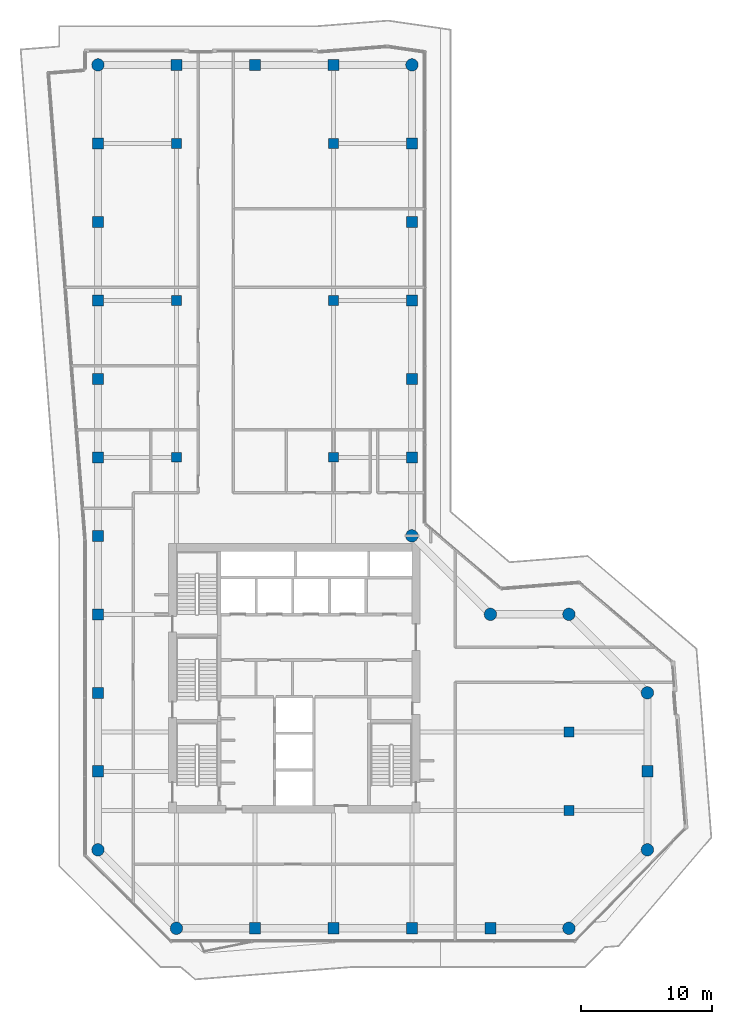
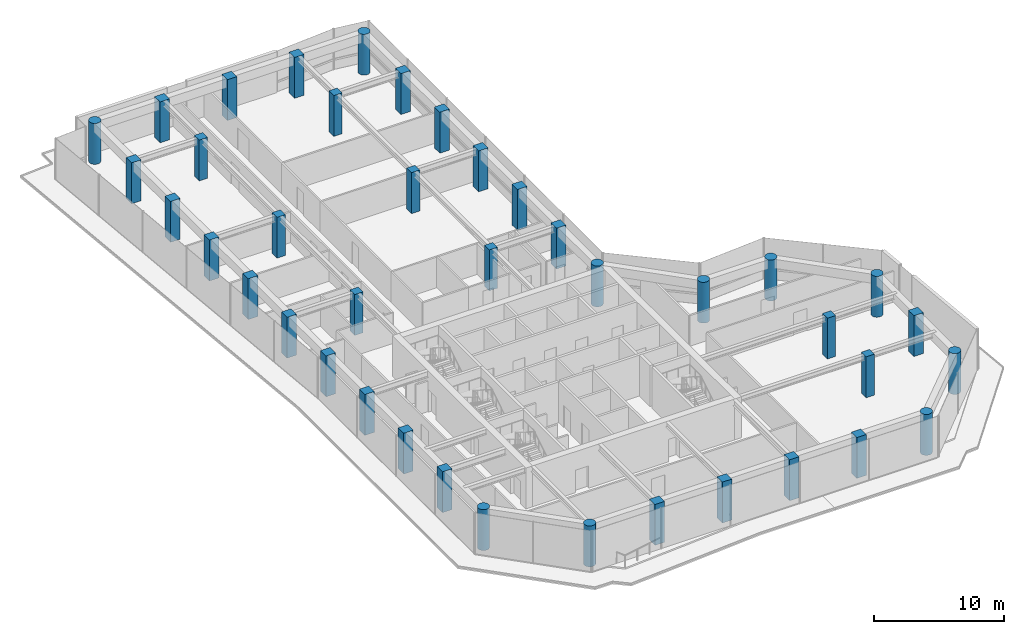
# One storey, part 1 of 23: 40 columns.
"""IFC4 building model written with IfcOpenShell, lengths in metres."""

from ifc_helpers import new_model, si_unit, direction, frame, origin, origin_2d, place, context, subcontext, project, spatial, rectangle, circle, extrude, material, material_profile, profile_set, type_object, element, save


model = new_model("IFC4")

# Units and contexts
model_context = context("Model", 3, precision=1e-05, world=origin(), true_north=direction((0.0, 1.0)))
body_context = subcontext(model_context, "Body", "Model", "MODEL_VIEW")
ifc_project = project(units=[si_unit("LENGTHUNIT", "METRE"), si_unit("AREAUNIT", "SQUARE_METRE"), si_unit("VOLUMEUNIT", "CUBIC_METRE"), si_unit("PLANEANGLEUNIT", "RADIAN"), si_unit("MASSUNIT", "GRAM", prefix="KILO")], contexts=[model_context])

# Site, building, storey
site_placement = place(None, origin())
site = spatial("IfcSite", under=ifc_project, at=site_placement, CompositionType="ELEMENT")
building_placement = place(site_placement, origin())
building = spatial("IfcBuilding", under=site, at=building_placement, Name="Welwitschia Terrace Campus", CompositionType="ELEMENT")
storey_placement = place(building_placement, frame((0.0, 0.0, 188.60009765625)))
storey = spatial("IfcBuildingStorey", under=building, at=storey_placement, Name="L42", CompositionType="ELEMENT", Elevation=188.60009765625)

# Columns
ifc_material_1 = material(Name="Concrete C50/60", Category="concrete")
ifc_material_profile_1 = material_profile(ifc_material_1, circle(Radius=0.47509765625, at=origin_2d()))
ifc_profile_set_1 = profile_set([ifc_material_profile_1], Name="Concrete C50/60")
column_type_1 = type_object("IfcColumnType", Name="Corner column 950 dia", PredefinedType="COLUMN", material=ifc_profile_set_1)
for number, where, z_axis, x_axis, name in (
    (1, (0.0, 2.0, 0.0), (0.0, 0.0, 1.0), (1.0, 0.0, 0.0), "Column C24"),
    (2, (0.0, 62.0, 0.0), (0.0, 0.0, 1.0), (1.0, 0.0, 0.0), "Column C24"),
    (3, (6.0, -4.0, 0.0), (0.0, 0.0, 1.0), (1.0, 0.0, 0.0), "Column C24"),
    (4, (24.0, 26.0, 0.0), (0.0, 0.0, 1.0), (1.0, 0.0, 0.0), "Column C24"),
    (5, (24.0, 62.0, 0.0), (0.0, 0.0, 1.0), (1.0, 0.0, 0.0), "Column C24"),
    (6, (30.0, 20.0, 0.0), (0.0, 0.0, 1.0), (1.0, 0.0, 0.0), "Column C24"),
    (7, (36.0, -4.0, 0.0), (0.0, 0.0, 1.0), (1.0, 0.0, 0.0), "Column C24"),
    (8, (36.0, 20.0, 0.0), (0.0, 0.0, 1.0), (1.0, 0.0, 0.0), "Column C24"),
    (9, (42.0, 2.0, 0.0), (0.0, 0.0, 1.0), (1.0, 0.0, 0.0), "Column C24"),
    (10, (42.0, 14.0, 0.0), (0.0, 0.0, 1.0), (1.0, 0.0, 0.0), "Column C24"),
):
    element("IfcColumn", number, at=place(storey_placement, frame(where, z_axis=z_axis, x_axis=x_axis)), inside=storey, type_object=column_type_1, Name=name, PredefinedType="COLUMN", context=body_context, shape_type="SweptSolid", body=[
        extrude(circle(Radius=0.47509765625, at=origin_2d()), origin(), (0.0, 0.0, 1.0), 3.849853515625),
    ])
ifc_material_2 = material(Name="Concrete C50/60", Category="concrete")
ifc_material_profile_2 = material_profile(ifc_material_2, rectangle(XDim=0.75, YDim=0.75, at=origin_2d()))
ifc_profile_set_2 = profile_set([ifc_material_profile_2], Name="Concrete C50/60")
column_type_2 = type_object("IfcColumnType", Name="Interior column 750x750", PredefinedType="COLUMN", material=ifc_profile_set_2)
for number, where, z_axis, x_axis, name in (
    (11, (6.0, 32.0, 0.0), (0.0, 0.0, 1.0), (1.0, 0.0, 0.0), "Column C25"),
    (12, (6.0, 44.0, 0.0), (0.0, 0.0, 1.0), (1.0, 0.0, 0.0), "Column C25"),
    (13, (6.0, 56.0, 0.0), (0.0, 0.0, 1.0), (1.0, 0.0, 0.0), "Column C25"),
    (14, (18.0, 32.0, 0.0), (0.0, 0.0, 1.0), (1.0, 0.0, 0.0), "Column C25"),
    (15, (18.0, 44.0, 0.0), (0.0, 0.0, 1.0), (1.0, 0.0, 0.0), "Column C25"),
    (16, (18.0, 56.0, 0.0), (0.0, 0.0, 1.0), (1.0, 0.0, 0.0), "Column C25"),
    (17, (36.0, 5.0, 0.0), (0.0, 0.0, 1.0), (1.0, 0.0, 0.0), "Column C25"),
    (18, (36.0, 11.0, 0.0), (0.0, 0.0, 1.0), (1.0, 0.0, 0.0), "Column C25"),
):
    element("IfcColumn", number, at=place(storey_placement, frame(where, z_axis=z_axis, x_axis=x_axis)), inside=storey, type_object=column_type_2, Name=name, PredefinedType="COLUMN", context=body_context, shape_type="SweptSolid", body=[
        extrude(rectangle(XDim=0.75, YDim=0.75, at=origin_2d()), origin(), (0.0, 0.0, 1.0), 3.849853515625),
    ])
ifc_material_3 = material(Name="Concrete C50/60", Category="concrete")
ifc_material_profile_3 = material_profile(ifc_material_3, rectangle(XDim=0.85009765625, YDim=0.85009765625, at=origin_2d()))
ifc_profile_set_3 = profile_set([ifc_material_profile_3], Name="Concrete C50/60")
column_type_3 = type_object("IfcColumnType", Name="Ring column 850x850", PredefinedType="COLUMN", material=ifc_profile_set_3)
for number, where, z_axis, x_axis, name in (
    (19, (0.0, 8.0, 0.0), (0.0, 0.0, 1.0), (1.0, 0.0, 0.0), "Column C23"),
    (20, (0.0, 14.0, 0.0), (0.0, 0.0, 1.0), (1.0, 0.0, 0.0), "Column C23"),
    (21, (0.0, 20.0, 0.0), (0.0, 0.0, 1.0), (1.0, 0.0, 0.0), "Column C23"),
    (22, (0.0, 26.0, 0.0), (0.0, 0.0, 1.0), (1.0, 0.0, 0.0), "Column C23"),
    (23, (0.0, 32.0, 0.0), (0.0, 0.0, 1.0), (1.0, 0.0, 0.0), "Column C23"),
    (24, (0.0, 38.0, 0.0), (0.0, 0.0, 1.0), (1.0, 0.0, 0.0), "Column C23"),
    (25, (0.0, 44.0, 0.0), (0.0, 0.0, 1.0), (1.0, 0.0, 0.0), "Column C23"),
    (26, (0.0, 50.0, 0.0), (0.0, 0.0, 1.0), (1.0, 0.0, 0.0), "Column C23"),
    (27, (0.0, 56.0, 0.0), (0.0, 0.0, 1.0), (1.0, 0.0, 0.0), "Column C23"),
    (28, (6.0, 62.0, 0.0), (0.0, 0.0, 1.0), (1.0, 0.0, 0.0), "Column C23"),
    (29, (12.0, -4.0, 0.0), (0.0, 0.0, 1.0), (1.0, 0.0, 0.0), "Column C23"),
    (30, (12.0, 62.0, 0.0), (0.0, 0.0, 1.0), (1.0, 0.0, 0.0), "Column C23"),
    (31, (18.0, -4.0, 0.0), (0.0, 0.0, 1.0), (1.0, 0.0, 0.0), "Column C23"),
    (32, (18.0, 62.0, 0.0), (0.0, 0.0, 1.0), (1.0, 0.0, 0.0), "Column C23"),
    (33, (24.0, -4.0, 0.0), (0.0, 0.0, 1.0), (1.0, 0.0, 0.0), "Column C23"),
    (34, (24.0, 32.0, 0.0), (0.0, 0.0, 1.0), (1.0, 0.0, 0.0), "Column C23"),
    (35, (24.0, 38.0, 0.0), (0.0, 0.0, 1.0), (1.0, 0.0, 0.0), "Column C23"),
    (36, (24.0, 44.0, 0.0), (0.0, 0.0, 1.0), (1.0, 0.0, 0.0), "Column C23"),
    (37, (24.0, 50.0, 0.0), (0.0, 0.0, 1.0), (1.0, 0.0, 0.0), "Column C23"),
    (38, (24.0, 56.0, 0.0), (0.0, 0.0, 1.0), (1.0, 0.0, 0.0), "Column C23"),
    (39, (30.0, -4.0, 0.0), (0.0, 0.0, 1.0), (1.0, 0.0, 0.0), "Column C23"),
    (40, (42.0, 8.0, 0.0), (0.0, 0.0, 1.0), (1.0, 0.0, 0.0), "Column C23"),
):
    element("IfcColumn", number, at=place(storey_placement, frame(where, z_axis=z_axis, x_axis=x_axis)), inside=storey, type_object=column_type_3, Name=name, PredefinedType="COLUMN", context=body_context, shape_type="SweptSolid", body=[
        extrude(rectangle(XDim=0.85009765625, YDim=0.85009765625, at=origin_2d()), origin(), (0.0, 0.0, 1.0), 3.849853515625),
    ])

save(model, "model.ifc")
